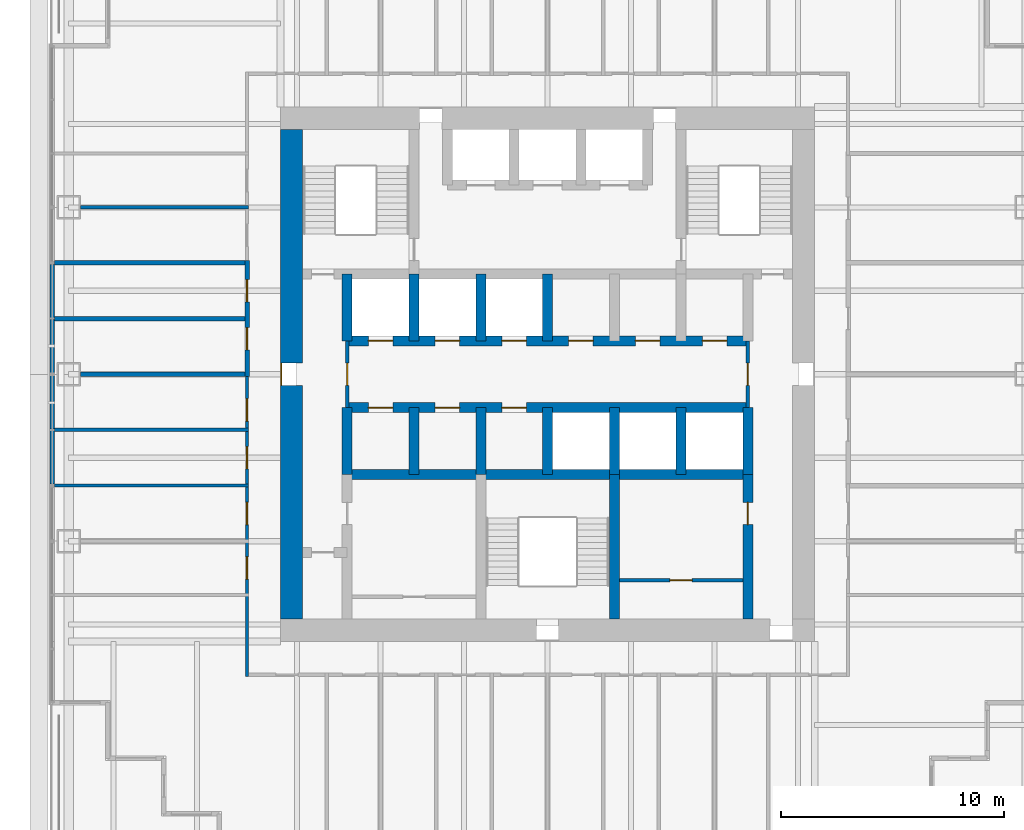
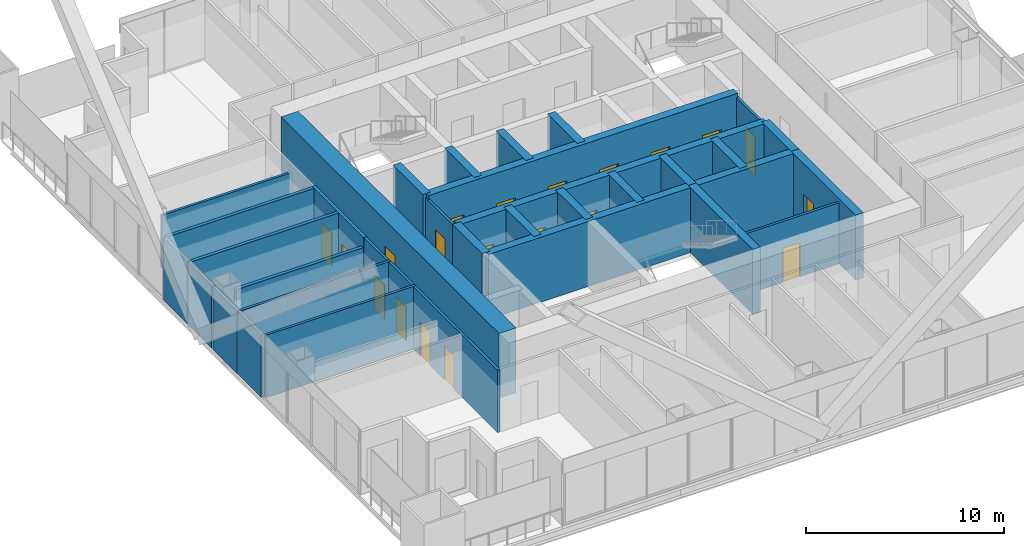
# One storey, part 12 of 17: 32 walls, 20 doors, 20 openings.
"""IFC4 building model written with IfcOpenShell, lengths in metres."""

from ifc_helpers import new_model, si_unit, direction, frame, frame_2d, origin, place, context, subcontext, project, spatial, rectangle, extrude, material, layer, layer_set, type_object, element, fill, save


model = new_model("IFC4")

# Units and contexts
model_context = context("Model", 3, precision=1e-05, world=origin(), true_north=direction((0.0, 1.0)))
body_context = subcontext(model_context, "Body", "Model", "MODEL_VIEW")
ifc_project = project(units=[si_unit("LENGTHUNIT", "METRE"), si_unit("AREAUNIT", "SQUARE_METRE"), si_unit("VOLUMEUNIT", "CUBIC_METRE"), si_unit("PLANEANGLEUNIT", "RADIAN"), si_unit("MASSUNIT", "GRAM", prefix="KILO")], contexts=[model_context])

# Site, building, storey
site_placement = place(None, origin())
site = spatial("IfcSite", under=ifc_project, at=site_placement, CompositionType="ELEMENT")
building_placement = place(site_placement, origin())
building = spatial("IfcBuilding", under=site, at=building_placement, Name="Tarangal Relay Tower", CompositionType="ELEMENT")
storey_placement = place(building_placement, frame((0.0, 0.0, 233.89990234375)))
storey = spatial("IfcBuildingStorey", under=building, at=storey_placement, Name="L50", CompositionType="ELEMENT", Elevation=233.89990234375)

# Walls
ifc_material_1 = material(Name="Two layers gypsum board each side on twin steel studs, mineral wool", Category="steel")
ifc_layer_1 = layer(ifc_material_1, 0.199951171875)
ifc_layer_set_1 = layer_set([ifc_layer_1], Name="Acoustic partition 200")
wall_type_1 = type_object("IfcWallType", Name="Acoustic partition 200", PredefinedType="PARTITIONING", material=ifc_layer_set_1)
wall_1_placement = place(storey_placement, frame((-20.989990234375, 0.0, 0.0), z_axis=(0.0, 0.0, 1.0), x_axis=(1.0, 0.0, 0.0)))
element("IfcWall", 1, at=wall_1_placement, inside=storey, type_object=wall_type_1, Name="Partition PT2 L50", PredefinedType="PARTITIONING", context=body_context, shape_type="SweptSolid", body=[
    extrude(rectangle(XDim=7.590087890625, YDim=0.199951171875, at=frame_2d((3.794921875, 0.0))), origin(), (0.0, 0.0, 1.0), 3.238037109375),
])
for number, where, z_axis, x_axis, name in (
    (2, (-22.14990234375, 2.5, 0.0), (0.0, 0.0, 1.0), (1.0, 0.0, 0.0), "Partition PT2 L50"),
    (3, (-22.14990234375, 5.0, 0.0), (0.0, 0.0, 1.0), (1.0, 0.0, 0.0), "Partition PT2 L50"),
):
    element("IfcWall", number, at=place(storey_placement, frame(where, z_axis=z_axis, x_axis=x_axis)), inside=storey, type_object=wall_type_1, Name=name, PredefinedType="PARTITIONING", context=body_context, shape_type="SweptSolid", body=[
        extrude(rectangle(XDim=8.75, YDim=0.199951171875, at=frame_2d((4.375, 0.0))), origin(), (0.0, 0.0, 1.0), 3.85009765625),
    ])

# Wall, openings, doors
wall_2_placement = place(storey_placement, frame((-13.5, -0.10009765625, 0.0), z_axis=(0.0, 0.0, 1.0), x_axis=(0.0, 1.0, 0.0)))
wall_2 = element("IfcWall", 4, at=wall_2_placement, inside=storey, type_object=wall_type_1, Name="Partition PT2 L50", PredefinedType="PARTITIONING", context=body_context, shape_type="SweptSolid", body=[
    extrude(rectangle(XDim=5.2001953125, YDim=0.199951171875, at=frame_2d((2.60009765625, 0.0))), origin(), (0.0, 0.0, 1.0), 3.85009765625),
])
opening_1_placement = place(wall_2_placement, frame((1.199951171875, 0.0, 0.0)))
opening_1 = element("IfcOpeningElement", 5, at=opening_1_placement, cuts=wall_2, Name="Opening D2", PredefinedType="OPENING", context=body_context, shape_type="SweptSolid", body=[
    extrude(rectangle(XDim=1.0, YDim=2.10009765625, at=frame_2d((0.5, 1.050048828125))), frame((0.0, 0.10986328125, 0.0), z_axis=(0.0, -1.0, 0.0), x_axis=(1.0, 0.0, 0.0)), (0.0, 0.0, 1.0), 0.219970703125),
])
opening_2_placement = place(wall_2_placement, frame((3.35009765625, 0.0, 0.0)))
opening_2 = element("IfcOpeningElement", 6, at=opening_2_placement, cuts=wall_2, Name="Opening D2", PredefinedType="OPENING", context=body_context, shape_type="SweptSolid", body=[
    extrude(rectangle(XDim=1.0, YDim=2.10009765625, at=frame_2d((0.5, 1.050048828125))), frame((0.0, 0.10986328125, 0.0), z_axis=(0.0, -1.0, 0.0), x_axis=(1.0, 0.0, 0.0)), (0.0, 0.0, 1.0), 0.219970703125),
])
ifc_material_2 = material(Name="Hardwood door", Category="wood")
door_type_1 = type_object("IfcDoorType", Name="Door 1000 x 2100", OperationType="SINGLE_SWING_LEFT", PredefinedType="DOOR", material=ifc_material_2)
door_1_placement = place(opening_1_placement, origin())
door_1 = element("IfcDoor", 7, at=door_1_placement, inside=storey, type_object=door_type_1, Name="Door D2 to wellness room L50-27", OperationType="SINGLE_SWING_LEFT", OverallHeight=2.10009765625, OverallWidth=1.0, PredefinedType="DOOR", context=body_context, shape_type="SweptSolid", body=[
    extrude(rectangle(XDim=1.0, YDim=2.10009765625, at=frame_2d((0.5, 1.050048828125))), frame((0.0, 0.02490234375, 0.0), z_axis=(0.0, -1.0, 0.0), x_axis=(1.0, 0.0, 0.0)), (0.0, 0.0, 1.0), 0.050048828125),
])
fill(opening_1, door_1)
door_2_placement = place(opening_2_placement, origin())
door_2 = element("IfcDoor", 8, at=door_2_placement, inside=storey, type_object=door_type_1, Name="Door D2 to quiet room L50-28", OperationType="SINGLE_SWING_LEFT", OverallHeight=2.10009765625, OverallWidth=1.0, PredefinedType="DOOR", context=body_context, shape_type="SweptSolid", body=[
    extrude(rectangle(XDim=1.0, YDim=2.10009765625, at=frame_2d((0.5, 1.050048828125))), frame((0.0, 0.02490234375, 0.0), z_axis=(0.0, -1.0, 0.0), x_axis=(1.0, 0.0, 0.0)), (0.0, 0.0, 1.0), 0.050048828125),
])
fill(opening_2, door_2)

ifc_material_3 = material(Name="Concrete fc' 60 MPa", Category="concrete")
ifc_layer_2 = layer(ifc_material_3, 0.449951171875)
ifc_layer_set_2 = layer_set([ifc_layer_2], Name="Core inner wall 450")
wall_type_2 = type_object("IfcWallType", Name="Core inner wall 450", PredefinedType="SHEAR", material=ifc_layer_set_2)
wall_3_placement = place(storey_placement, frame((-9.0, 1.5, 0.0), z_axis=(0.0, 0.0, 1.0), x_axis=(1.0, 0.0, 0.0)))
wall_3 = element("IfcWall", 9, at=wall_3_placement, inside=storey, type_object=wall_type_2, Name="Core wall Y15 L50", PredefinedType="SHEAR", context=body_context, shape_type="SweptSolid", body=[
    extrude(rectangle(XDim=18.0, YDim=0.449951171875, at=frame_2d((9.0, 0.0))), origin(), (0.0, 0.0, 1.0), 4.0),
])
opening_3_placement = place(wall_3_placement, frame((0.949951171875, 0.0, 0.0)))
opening_3 = element("IfcOpeningElement", 10, at=opening_3_placement, cuts=wall_3, Name="Opening LD1", PredefinedType="OPENING", context=body_context, shape_type="SweptSolid", body=[
    extrude(rectangle(XDim=1.10009765625, YDim=2.10009765625, at=frame_2d((0.550048828125, 1.050048828125))), frame((0.0, 0.23486328125, 0.0), z_axis=(0.0, -1.0, 0.0), x_axis=(1.0, 0.0, 0.0)), (0.0, 0.0, 1.0), 0.469970703125),
])
opening_4_placement = place(wall_3_placement, frame((3.949951171875, 0.0, 0.0)))
opening_4 = element("IfcOpeningElement", 11, at=opening_4_placement, cuts=wall_3, Name="Opening LD1", PredefinedType="OPENING", context=body_context, shape_type="SweptSolid", body=[
    extrude(rectangle(XDim=1.10009765625, YDim=2.10009765625, at=frame_2d((0.550048828125, 1.050048828125))), frame((0.0, 0.23486328125, 0.0), z_axis=(0.0, -1.0, 0.0), x_axis=(1.0, 0.0, 0.0)), (0.0, 0.0, 1.0), 0.469970703125),
])
opening_5_placement = place(wall_3_placement, frame((6.949951171875, 0.0, 0.0)))
opening_5 = element("IfcOpeningElement", 12, at=opening_5_placement, cuts=wall_3, Name="Opening LD1", PredefinedType="OPENING", context=body_context, shape_type="SweptSolid", body=[
    extrude(rectangle(XDim=1.10009765625, YDim=2.10009765625, at=frame_2d((0.550048828125, 1.050048828125))), frame((0.0, 0.23486328125, 0.0), z_axis=(0.0, -1.0, 0.0), x_axis=(1.0, 0.0, 0.0)), (0.0, 0.0, 1.0), 0.469970703125),
])
opening_6_placement = place(wall_3_placement, frame((9.949951171875, 0.0, 0.0)))
opening_6 = element("IfcOpeningElement", 13, at=opening_6_placement, cuts=wall_3, Name="Opening D4", PredefinedType="OPENING", context=body_context, shape_type="SweptSolid", body=[
    extrude(rectangle(XDim=1.10009765625, YDim=2.10009765625, at=frame_2d((0.550048828125, 1.050048828125))), frame((0.0, 0.23486328125, 0.0), z_axis=(0.0, -1.0, 0.0), x_axis=(1.0, 0.0, 0.0)), (0.0, 0.0, 1.0), 0.469970703125),
])
opening_7_placement = place(wall_3_placement, frame((12.949951171875, 0.0, 0.0)))
opening_7 = element("IfcOpeningElement", 14, at=opening_7_placement, cuts=wall_3, Name="Opening D4", PredefinedType="OPENING", context=body_context, shape_type="SweptSolid", body=[
    extrude(rectangle(XDim=1.10009765625, YDim=2.10009765625, at=frame_2d((0.550048828125, 1.050048828125))), frame((0.0, 0.23486328125, 0.0), z_axis=(0.0, -1.0, 0.0), x_axis=(1.0, 0.0, 0.0)), (0.0, 0.0, 1.0), 0.469970703125),
])
opening_8_placement = place(wall_3_placement, frame((15.949951171875, 0.0, 0.0)))
opening_8 = element("IfcOpeningElement", 15, at=opening_8_placement, cuts=wall_3, Name="Opening D4", PredefinedType="OPENING", context=body_context, shape_type="SweptSolid", body=[
    extrude(rectangle(XDim=1.10009765625, YDim=2.10009765625, at=frame_2d((0.550048828125, 1.050048828125))), frame((0.0, 0.23486328125, 0.0), z_axis=(0.0, -1.0, 0.0), x_axis=(1.0, 0.0, 0.0)), (0.0, 0.0, 1.0), 0.469970703125),
])
ifc_material_4 = material(Name="Steel door with hardwood frame", Category="steel")
door_type_2 = type_object("IfcDoorType", Name="Core room door 1100 x 2100", OperationType="SINGLE_SWING_RIGHT", PredefinedType="DOOR", material=ifc_material_4)
door_3_placement = place(opening_6_placement, origin())
door_3 = element("IfcDoor", 16, at=door_3_placement, inside=storey, type_object=door_type_2, Name="Door D4 to staff pantry L50-T1", OperationType="SINGLE_SWING_RIGHT", OverallHeight=2.10009765625, OverallWidth=1.10009765625, PredefinedType="DOOR", context=body_context, shape_type="SweptSolid", body=[
    extrude(rectangle(XDim=1.10009765625, YDim=2.10009765625, at=frame_2d((0.550048828125, 1.050048828125))), frame((0.0, 0.02490234375, 0.0), z_axis=(0.0, -1.0, 0.0), x_axis=(1.0, 0.0, 0.0)), (0.0, 0.0, 1.0), 0.050048828125),
])
fill(opening_6, door_3)
door_4_placement = place(opening_7_placement, origin())
door_4 = element("IfcDoor", 17, at=door_4_placement, inside=storey, type_object=door_type_2, Name="Door D4 to it room L50-T2", OperationType="SINGLE_SWING_RIGHT", OverallHeight=2.10009765625, OverallWidth=1.10009765625, PredefinedType="DOOR", context=body_context, shape_type="SweptSolid", body=[
    extrude(rectangle(XDim=1.10009765625, YDim=2.10009765625, at=frame_2d((0.550048828125, 1.050048828125))), frame((0.0, 0.02490234375, 0.0), z_axis=(0.0, -1.0, 0.0), x_axis=(1.0, 0.0, 0.0)), (0.0, 0.0, 1.0), 0.050048828125),
])
fill(opening_7, door_4)
door_5_placement = place(opening_8_placement, origin())
door_5 = element("IfcDoor", 18, at=door_5_placement, inside=storey, type_object=door_type_2, Name="Door D4 to cleaner's store L50-T3", OperationType="SINGLE_SWING_RIGHT", OverallHeight=2.10009765625, OverallWidth=1.10009765625, PredefinedType="DOOR", context=body_context, shape_type="SweptSolid", body=[
    extrude(rectangle(XDim=1.10009765625, YDim=2.10009765625, at=frame_2d((0.550048828125, 1.050048828125))), frame((0.0, 0.02490234375, 0.0), z_axis=(0.0, -1.0, 0.0), x_axis=(1.0, 0.0, 0.0)), (0.0, 0.0, 1.0), 0.050048828125),
])
fill(opening_8, door_5)
door_type_3 = type_object("IfcDoorType", Name="Lift landing door 1100 x 2100", OperationType="SLIDING_TO_LEFT", PredefinedType="DOOR", material=ifc_material_4)
door_6_placement = place(opening_3_placement, origin())
door_6 = element("IfcDoor", 19, at=door_6_placement, inside=storey, type_object=door_type_3, Name="Lift OL1 landing door L50", OperationType="SLIDING_TO_LEFT", OverallHeight=2.10009765625, OverallWidth=1.10009765625, PredefinedType="DOOR", context=body_context, shape_type="SweptSolid", body=[
    extrude(rectangle(XDim=1.10009765625, YDim=2.10009765625, at=frame_2d((0.550048828125, 1.050048828125))), frame((0.0, 0.02490234375, 0.0), z_axis=(0.0, -1.0, 0.0), x_axis=(1.0, 0.0, 0.0)), (0.0, 0.0, 1.0), 0.050048828125),
])
fill(opening_3, door_6)
door_7_placement = place(opening_4_placement, origin())
door_7 = element("IfcDoor", 20, at=door_7_placement, inside=storey, type_object=door_type_3, Name="Lift OL2 landing door L50", OperationType="SLIDING_TO_LEFT", OverallHeight=2.10009765625, OverallWidth=1.10009765625, PredefinedType="DOOR", context=body_context, shape_type="SweptSolid", body=[
    extrude(rectangle(XDim=1.10009765625, YDim=2.10009765625, at=frame_2d((0.550048828125, 1.050048828125))), frame((0.0, 0.02490234375, 0.0), z_axis=(0.0, -1.0, 0.0), x_axis=(1.0, 0.0, 0.0)), (0.0, 0.0, 1.0), 0.050048828125),
])
fill(opening_4, door_7)
door_8_placement = place(opening_5_placement, origin())
door_8 = element("IfcDoor", 21, at=door_8_placement, inside=storey, type_object=door_type_3, Name="Lift OL3 landing door L50", OperationType="SLIDING_TO_LEFT", OverallHeight=2.10009765625, OverallWidth=1.10009765625, PredefinedType="DOOR", context=body_context, shape_type="SweptSolid", body=[
    extrude(rectangle(XDim=1.10009765625, YDim=2.10009765625, at=frame_2d((0.550048828125, 1.050048828125))), frame((0.0, 0.02490234375, 0.0), z_axis=(0.0, -1.0, 0.0), x_axis=(1.0, 0.0, 0.0)), (0.0, 0.0, 1.0), 0.050048828125),
])
fill(opening_5, door_8)

wall_4_placement = place(storey_placement, frame((-9.0, -1.5, 0.0), z_axis=(0.0, 0.0, 1.0), x_axis=(1.0, 0.0, 0.0)))
wall_4 = element("IfcWall", 22, at=wall_4_placement, inside=storey, type_object=wall_type_2, Name="Core wall YM15 L50", PredefinedType="SHEAR", context=body_context, shape_type="SweptSolid", body=[
    extrude(rectangle(XDim=18.0, YDim=0.449951171875, at=frame_2d((9.0, 0.0))), origin(), (0.0, 0.0, 1.0), 4.0),
])
opening_9_placement = place(wall_4_placement, frame((0.949951171875, 0.0, 0.0)))
opening_9 = element("IfcOpeningElement", 23, at=opening_9_placement, cuts=wall_4, Name="Opening D4", PredefinedType="OPENING", context=body_context, shape_type="SweptSolid", body=[
    extrude(rectangle(XDim=1.10009765625, YDim=2.10009765625, at=frame_2d((0.550048828125, 1.050048828125))), frame((0.0, 0.23486328125, 0.0), z_axis=(0.0, -1.0, 0.0), x_axis=(1.0, 0.0, 0.0)), (0.0, 0.0, 1.0), 0.469970703125),
])
opening_10_placement = place(wall_4_placement, frame((3.949951171875, 0.0, 0.0)))
opening_10 = element("IfcOpeningElement", 24, at=opening_10_placement, cuts=wall_4, Name="Opening D4", PredefinedType="OPENING", context=body_context, shape_type="SweptSolid", body=[
    extrude(rectangle(XDim=1.10009765625, YDim=2.10009765625, at=frame_2d((0.550048828125, 1.050048828125))), frame((0.0, 0.23486328125, 0.0), z_axis=(0.0, -1.0, 0.0), x_axis=(1.0, 0.0, 0.0)), (0.0, 0.0, 1.0), 0.469970703125),
])
opening_11_placement = place(wall_4_placement, frame((6.949951171875, 0.0, 0.0)))
opening_11 = element("IfcOpeningElement", 25, at=opening_11_placement, cuts=wall_4, Name="Opening D4", PredefinedType="OPENING", context=body_context, shape_type="SweptSolid", body=[
    extrude(rectangle(XDim=1.10009765625, YDim=2.10009765625, at=frame_2d((0.550048828125, 1.050048828125))), frame((0.0, 0.23486328125, 0.0), z_axis=(0.0, -1.0, 0.0), x_axis=(1.0, 0.0, 0.0)), (0.0, 0.0, 1.0), 0.469970703125),
])
door_9_placement = place(opening_9_placement, origin())
door_9 = element("IfcDoor", 26, at=door_9_placement, inside=storey, type_object=door_type_2, Name="Door D4 to staff wc L50-S1", OperationType="SINGLE_SWING_RIGHT", OverallHeight=2.10009765625, OverallWidth=1.10009765625, PredefinedType="DOOR", context=body_context, shape_type="SweptSolid", body=[
    extrude(rectangle(XDim=1.10009765625, YDim=2.10009765625, at=frame_2d((0.550048828125, 1.050048828125))), frame((0.0, 0.02490234375, 0.0), z_axis=(0.0, -1.0, 0.0), x_axis=(1.0, 0.0, 0.0)), (0.0, 0.0, 1.0), 0.050048828125),
])
fill(opening_9, door_9)
door_10_placement = place(opening_10_placement, origin())
door_10 = element("IfcDoor", 27, at=door_10_placement, inside=storey, type_object=door_type_2, Name="Door D4 to staff pantry L50-S2", OperationType="SINGLE_SWING_RIGHT", OverallHeight=2.10009765625, OverallWidth=1.10009765625, PredefinedType="DOOR", context=body_context, shape_type="SweptSolid", body=[
    extrude(rectangle(XDim=1.10009765625, YDim=2.10009765625, at=frame_2d((0.550048828125, 1.050048828125))), frame((0.0, 0.02490234375, 0.0), z_axis=(0.0, -1.0, 0.0), x_axis=(1.0, 0.0, 0.0)), (0.0, 0.0, 1.0), 0.050048828125),
])
fill(opening_10, door_10)
door_11_placement = place(opening_11_placement, origin())
door_11 = element("IfcDoor", 28, at=door_11_placement, inside=storey, type_object=door_type_2, Name="Door D4 to it room L50-S3", OperationType="SINGLE_SWING_RIGHT", OverallHeight=2.10009765625, OverallWidth=1.10009765625, PredefinedType="DOOR", context=body_context, shape_type="SweptSolid", body=[
    extrude(rectangle(XDim=1.10009765625, YDim=2.10009765625, at=frame_2d((0.550048828125, 1.050048828125))), frame((0.0, 0.02490234375, 0.0), z_axis=(0.0, -1.0, 0.0), x_axis=(1.0, 0.0, 0.0)), (0.0, 0.0, 1.0), 0.050048828125),
])
fill(opening_11, door_11)

# Walls
wall_5_placement = place(storey_placement, frame((-9.0, -4.5, 0.0), z_axis=(0.0, 0.0, 1.0), x_axis=(1.0, 0.0, 0.0)))
element("IfcWall", 29, at=wall_5_placement, inside=storey, type_object=wall_type_2, Name="Core wall YM45 L50", PredefinedType="SHEAR", context=body_context, shape_type="SweptSolid", body=[
    extrude(rectangle(XDim=18.0, YDim=0.449951171875, at=frame_2d((9.0, 0.0))), origin(), (0.0, 0.0, 1.0), 4.0),
])
for number, where, z_axis, x_axis, name in (
    (30, (-9.0, 1.5, 0.0), (0.0, 0.0, 1.0), (0.0, 1.0, 0.0), "Core wall XM9N L50"),
    (31, (-9.0, -4.5, 0.0), (0.0, 0.0, 1.0), (0.0, 1.0, 0.0), "Core wall XM9S L50"),
    (32, (9.0, -4.5, 0.0), (0.0, 0.0, 1.0), (0.0, 1.0, 0.0), "Core wall X9S L50"),
    (33, (-6.0, 1.5, 0.0), (0.0, 0.0, 1.0), (0.0, 1.0, 0.0), "Core wall XM6N L50"),
    (34, (-3.0, 1.5, 0.0), (0.0, 0.0, 1.0), (0.0, 1.0, 0.0), "Core wall XM3N L50"),
    (35, (0.0, 1.5, 0.0), (0.0, 0.0, 1.0), (0.0, 1.0, 0.0), "Core wall X0N L50"),
    (36, (-6.0, -4.5, 0.0), (0.0, 0.0, 1.0), (0.0, 1.0, 0.0), "Core wall XM6S L50"),
    (37, (-3.0, -4.5, 0.0), (0.0, 0.0, 1.0), (0.0, 1.0, 0.0), "Core wall XM3S L50"),
    (38, (0.0, -4.5, 0.0), (0.0, 0.0, 1.0), (0.0, 1.0, 0.0), "Core wall X0S L50"),
    (39, (3.0, -4.5, 0.0), (0.0, 0.0, 1.0), (0.0, 1.0, 0.0), "Core wall X3S L50"),
    (40, (6.0, -4.5, 0.0), (0.0, 0.0, 1.0), (0.0, 1.0, 0.0), "Core wall X6S L50"),
):
    element("IfcWall", number, at=place(storey_placement, frame(where, z_axis=z_axis, x_axis=x_axis)), inside=storey, type_object=wall_type_2, Name=name, PredefinedType="SHEAR", context=body_context, shape_type="SweptSolid", body=[
        extrude(rectangle(XDim=3.0, YDim=0.449951171875, at=frame_2d((1.5, 0.0))), origin(), (0.0, 0.0, 1.0), 4.0),
    ])

# Wall, opening, door
wall_6_placement = place(storey_placement, frame((9.0, -11.0, 0.0), z_axis=(0.0, 0.0, 1.0), x_axis=(0.0, 1.0, 0.0)))
wall_6 = element("IfcWall", 41, at=wall_6_placement, inside=storey, type_object=wall_type_2, Name="Core wall X9W L50", PredefinedType="SHEAR", context=body_context, shape_type="SweptSolid", body=[
    extrude(rectangle(XDim=6.5, YDim=0.449951171875, at=frame_2d((3.25, 0.0))), origin(), (0.0, 0.0, 1.0), 4.0),
])
opening_12_placement = place(wall_6_placement, frame((4.25, 0.0, 0.0)))
opening_12 = element("IfcOpeningElement", 42, at=opening_12_placement, cuts=wall_6, Name="Opening D1", PredefinedType="OPENING", context=body_context, shape_type="SweptSolid", body=[
    extrude(rectangle(XDim=1.0, YDim=2.10009765625, at=frame_2d((0.5, 1.050048828125))), frame((0.0, 0.23486328125, 0.0), z_axis=(0.0, -1.0, 0.0), x_axis=(1.0, 0.0, 0.0)), (0.0, 0.0, 1.0), 0.469970703125),
])
door_type_4 = type_object("IfcDoorType", Name="WC door 1000 x 2100", OperationType="SINGLE_SWING_LEFT", PredefinedType="DOOR", material=ifc_material_2)
door_12_placement = place(opening_12_placement, origin())
door_12 = element("IfcDoor", 43, at=door_12_placement, inside=storey, type_object=door_type_4, Name="Female WC door L50", OperationType="SINGLE_SWING_LEFT", OverallHeight=2.10009765625, OverallWidth=1.0, PredefinedType="DOOR", context=body_context, shape_type="SweptSolid", body=[
    extrude(rectangle(XDim=1.0, YDim=2.10009765625, at=frame_2d((0.5, 1.050048828125))), frame((0.0, 0.02490234375, 0.0), z_axis=(0.0, -1.0, 0.0), x_axis=(1.0, 0.0, 0.0)), (0.0, 0.0, 1.0), 0.050048828125),
])
fill(opening_12, door_12)

# Wall
wall_7_placement = place(storey_placement, frame((3.0, -11.0, 0.0), z_axis=(0.0, 0.0, 1.0), x_axis=(0.0, 1.0, 0.0)))
element("IfcWall", 44, at=wall_7_placement, inside=storey, type_object=wall_type_2, Name="Core wall X3W L50", PredefinedType="SHEAR", context=body_context, shape_type="SweptSolid", body=[
    extrude(rectangle(XDim=6.5, YDim=0.449951171875, at=frame_2d((3.25, 0.0))), origin(), (0.0, 0.0, 1.0), 4.0),
])

# Wall, opening, door
ifc_layer_3 = layer(ifc_material_3, 1.0)
ifc_layer_set_3 = layer_set([ifc_layer_3], Name="Core wall 1000")
wall_type_3 = type_object("IfcWallType", Name="Core wall 1000", PredefinedType="SHEAR", material=ifc_layer_set_3)
wall_8_placement = place(storey_placement, frame((-11.5, -11.0, 0.0), z_axis=(0.0, 0.0, 1.0), x_axis=(0.0, 1.0, 0.0)))
wall_8 = element("IfcWall", 45, at=wall_8_placement, inside=storey, type_object=wall_type_3, Name="Core wall W L50", PredefinedType="SHEAR", context=body_context, shape_type="SweptSolid", body=[
    extrude(rectangle(XDim=22.0, YDim=1.0, at=frame_2d((11.0, 0.0))), origin(), (0.0, 0.0, 1.0), 4.0),
])
opening_13_placement = place(wall_8_placement, frame((10.5, 0.0, 0.0)))
opening_13 = element("IfcOpeningElement", 46, at=opening_13_placement, cuts=wall_8, Name="Opening FD3", PredefinedType="OPENING", context=body_context, shape_type="SweptSolid", body=[
    extrude(rectangle(XDim=1.0, YDim=2.39990234375, at=frame_2d((0.5, 1.199951171875))), frame((0.0, 0.510009765625, 0.0), z_axis=(0.0, -1.0, 0.0), x_axis=(1.0, 0.0, 0.0)), (0.0, 0.0, 1.0), 1.02001953125),
])
door_type_5 = type_object("IfcDoorType", Name="Fire door 1000 x 2400 core entry", OperationType="SINGLE_SWING_RIGHT", PredefinedType="DOOR", material=ifc_material_4)
door_13_placement = place(opening_13_placement, origin())
door_13 = element("IfcDoor", 47, at=door_13_placement, inside=storey, type_object=door_type_5, Name="Core entry door west L50", OperationType="SINGLE_SWING_RIGHT", OverallHeight=2.39990234375, OverallWidth=1.0, PredefinedType="DOOR", context=body_context, shape_type="SweptSolid", body=[
    extrude(rectangle(XDim=1.0, YDim=2.39990234375, at=frame_2d((0.5, 1.199951171875))), frame((0.0, 0.48486328125, 0.0), z_axis=(0.0, -1.0, 0.0), x_axis=(1.0, 0.0, 0.0)), (0.0, 0.0, 1.0), 0.050048828125),
])
fill(opening_13, door_13)

# Walls
ifc_material_5 = material(Name="Black metal clad insulated wall", Category="steel")
ifc_layer_4 = layer(ifc_material_5, 0.199951171875)
ifc_layer_set_4 = layer_set([ifc_layer_4], Name="Facade infill wall metal clad 200")
wall_type_4 = type_object("IfcWallType", Name="Facade infill wall metal clad 200", PredefinedType="SOLIDWALL", material=ifc_layer_set_4)
for number, where, z_axis, x_axis, name in (
    (48, (-22.25, -4.93505859375, 0.0), (0.0, 0.0, 1.0), (0.0, 1.0, 0.0), "Facade infill wall W facade L50 1.1"),
    (49, (-22.25, -2.467529296875, 0.0), (0.0, 0.0, 1.0), (0.0, 1.0, 0.0), "Facade infill wall W facade L50 2.1"),
    (50, (-22.25, 0.06494140625, 0.0), (0.0, 0.0, 1.0), (0.0, 1.0, 0.0), "Facade infill wall W facade L50 1.1"),
    (51, (-22.25, 2.532470703125, 0.0), (0.0, 0.0, 1.0), (0.0, 1.0, 0.0), "Facade infill wall W facade L50 2.1"),
):
    element("IfcWall", number, at=place(storey_placement, frame(where, z_axis=z_axis, x_axis=x_axis)), inside=storey, type_object=wall_type_4, Name=name, PredefinedType="SOLIDWALL", context=body_context, shape_type="SweptSolid", body=[
        extrude(rectangle(XDim=2.402587890625, YDim=0.199951171875, at=frame_2d((1.201171875, 0.0))), origin(), (0.0, 0.0, 1.0), 3.85009765625),
    ])
ifc_material_6 = material(Name="Gypsum board on steel studs", Category="steel")
ifc_layer_5 = layer(ifc_material_6, 0.14990234375)
ifc_layer_set_5 = layer_set([ifc_layer_5], Name="Partition 150")
wall_type_5 = type_object("IfcWallType", Name="Partition 150", PredefinedType="PARTITIONING", material=ifc_layer_set_5)
for number, where, z_axis, x_axis, name in (
    (52, (-22.14990234375, -5.0, 0.0), (0.0, 0.0, 1.0), (1.0, 0.0, 0.0), "Partition PT1 L50"),
    (53, (-22.14990234375, -2.5, 0.0), (0.0, 0.0, 1.0), (1.0, 0.0, 0.0), "Partition PT1 L50"),
):
    element("IfcWall", number, at=place(storey_placement, frame(where, z_axis=z_axis, x_axis=x_axis)), inside=storey, type_object=wall_type_5, Name=name, PredefinedType="PARTITIONING", context=body_context, shape_type="SweptSolid", body=[
        extrude(rectangle(XDim=8.724853515625, YDim=0.14990234375, at=frame_2d((4.3623046875, 0.0))), origin(), (0.0, 0.0, 1.0), 3.85009765625),
    ])
wall_9_placement = place(storey_placement, frame((-20.989990234375, 7.5, 0.0), z_axis=(0.0, 0.0, 1.0), x_axis=(1.0, 0.0, 0.0)))
element("IfcWall", 54, at=wall_9_placement, inside=storey, type_object=wall_type_5, Name="Partition PT1 L50", PredefinedType="PARTITIONING", context=body_context, shape_type="SweptSolid", body=[
    extrude(rectangle(XDim=7.56494140625, YDim=0.14990234375, at=frame_2d((3.782470703125, 0.0))), origin(), (0.0, 0.0, 1.0), 3.238037109375),
])

# Wall, openings, doors
wall_10_placement = place(storey_placement, frame((-13.5, -13.574951171875, 0.0), z_axis=(0.0, 0.0, 1.0), x_axis=(0.0, 1.0, 0.0)))
wall_10 = element("IfcWall", 55, at=wall_10_placement, inside=storey, type_object=wall_type_5, Name="Partition PT1 L50", PredefinedType="PARTITIONING", context=body_context, shape_type="SweptSolid", body=[
    extrude(rectangle(XDim=13.64990234375, YDim=0.14990234375, at=frame_2d((6.824951171875, 0.0))), origin(), (0.0, 0.0, 1.0), 3.85009765625),
])
opening_14_placement = place(wall_10_placement, frame((4.366455078125, 0.0, 0.0)))
opening_14 = element("IfcOpeningElement", 56, at=opening_14_placement, cuts=wall_10, Name="Opening D2", PredefinedType="OPENING", context=body_context, shape_type="SweptSolid", body=[
    extrude(rectangle(XDim=1.0, YDim=2.10009765625, at=frame_2d((0.5, 1.050048828125))), frame((0.0, 0.0849609375, 0.0), z_axis=(0.0, -1.0, 0.0), x_axis=(1.0, 0.0, 0.0)), (0.0, 0.0, 1.0), 0.169921875),
])
opening_15_placement = place(wall_10_placement, frame((6.824951171875, 0.0, 0.0)))
opening_15 = element("IfcOpeningElement", 57, at=opening_15_placement, cuts=wall_10, Name="Opening D2", PredefinedType="OPENING", context=body_context, shape_type="SweptSolid", body=[
    extrude(rectangle(XDim=1.0, YDim=2.10009765625, at=frame_2d((0.5, 1.050048828125))), frame((0.0, 0.0849609375, 0.0), z_axis=(0.0, -1.0, 0.0), x_axis=(1.0, 0.0, 0.0)), (0.0, 0.0, 1.0), 0.169921875),
])
opening_16_placement = place(wall_10_placement, frame((9.324951171875, 0.0, 0.0)))
opening_16 = element("IfcOpeningElement", 58, at=opening_16_placement, cuts=wall_10, Name="Opening D2", PredefinedType="OPENING", context=body_context, shape_type="SweptSolid", body=[
    extrude(rectangle(XDim=1.0, YDim=2.10009765625, at=frame_2d((0.5, 1.050048828125))), frame((0.0, 0.0849609375, 0.0), z_axis=(0.0, -1.0, 0.0), x_axis=(1.0, 0.0, 0.0)), (0.0, 0.0, 1.0), 0.169921875),
])
opening_17_placement = place(wall_10_placement, frame((11.47509765625, 0.0, 0.0)))
opening_17 = element("IfcOpeningElement", 59, at=opening_17_placement, cuts=wall_10, Name="Opening D2", PredefinedType="OPENING", context=body_context, shape_type="SweptSolid", body=[
    extrude(rectangle(XDim=1.0, YDim=2.10009765625, at=frame_2d((0.5, 1.050048828125))), frame((0.0, 0.0849609375, 0.0), z_axis=(0.0, -1.0, 0.0), x_axis=(1.0, 0.0, 0.0)), (0.0, 0.0, 1.0), 0.169921875),
])
door_14_placement = place(opening_14_placement, origin())
door_14 = element("IfcDoor", 60, at=door_14_placement, inside=storey, type_object=door_type_1, Name="Door D2 to cellular office L50-23", OperationType="SINGLE_SWING_LEFT", OverallHeight=2.10009765625, OverallWidth=1.0, PredefinedType="DOOR", context=body_context, shape_type="SweptSolid", body=[
    extrude(rectangle(XDim=1.0, YDim=2.10009765625, at=frame_2d((0.5, 1.050048828125))), frame((0.0, 0.02490234375, 0.0), z_axis=(0.0, -1.0, 0.0), x_axis=(1.0, 0.0, 0.0)), (0.0, 0.0, 1.0), 0.050048828125),
])
fill(opening_14, door_14)
door_15_placement = place(opening_15_placement, origin())
door_15 = element("IfcDoor", 61, at=door_15_placement, inside=storey, type_object=door_type_1, Name="Door D2 to cellular office L50-24", OperationType="SINGLE_SWING_LEFT", OverallHeight=2.10009765625, OverallWidth=1.0, PredefinedType="DOOR", context=body_context, shape_type="SweptSolid", body=[
    extrude(rectangle(XDim=1.0, YDim=2.10009765625, at=frame_2d((0.5, 1.050048828125))), frame((0.0, 0.02490234375, 0.0), z_axis=(0.0, -1.0, 0.0), x_axis=(1.0, 0.0, 0.0)), (0.0, 0.0, 1.0), 0.050048828125),
])
fill(opening_15, door_15)
door_16_placement = place(opening_16_placement, origin())
door_16 = element("IfcDoor", 62, at=door_16_placement, inside=storey, type_object=door_type_1, Name="Door D2 to cellular office L50-25", OperationType="SINGLE_SWING_LEFT", OverallHeight=2.10009765625, OverallWidth=1.0, PredefinedType="DOOR", context=body_context, shape_type="SweptSolid", body=[
    extrude(rectangle(XDim=1.0, YDim=2.10009765625, at=frame_2d((0.5, 1.050048828125))), frame((0.0, 0.02490234375, 0.0), z_axis=(0.0, -1.0, 0.0), x_axis=(1.0, 0.0, 0.0)), (0.0, 0.0, 1.0), 0.050048828125),
])
fill(opening_16, door_16)
door_17_placement = place(opening_17_placement, origin())
door_17 = element("IfcDoor", 63, at=door_17_placement, inside=storey, type_object=door_type_1, Name="Door D2 to cellular office L50-26", OperationType="SINGLE_SWING_LEFT", OverallHeight=2.10009765625, OverallWidth=1.0, PredefinedType="DOOR", context=body_context, shape_type="SweptSolid", body=[
    extrude(rectangle(XDim=1.0, YDim=2.10009765625, at=frame_2d((0.5, 1.050048828125))), frame((0.0, 0.02490234375, 0.0), z_axis=(0.0, -1.0, 0.0), x_axis=(1.0, 0.0, 0.0)), (0.0, 0.0, 1.0), 0.050048828125),
])
fill(opening_17, door_17)

# Wall, opening, door
wall_11_placement = place(storey_placement, frame((3.22509765625, -9.25, 0.0), z_axis=(0.0, 0.0, 1.0), x_axis=(1.0, 0.0, 0.0)))
wall_11 = element("IfcWall", 64, at=wall_11_placement, inside=storey, type_object=wall_type_5, Name="Partition PT1 L50", PredefinedType="PARTITIONING", context=body_context, shape_type="SweptSolid", body=[
    extrude(rectangle(XDim=5.5498046875, YDim=0.14990234375, at=frame_2d((2.77490234375, 0.0))), origin(), (0.0, 0.0, 1.0), 3.75),
])
opening_18_placement = place(wall_11_placement, frame((2.27490234375, 0.0, 0.0)))
opening_18 = element("IfcOpeningElement", 65, at=opening_18_placement, cuts=wall_11, Name="Opening D1", PredefinedType="OPENING", context=body_context, shape_type="SweptSolid", body=[
    extrude(rectangle(XDim=1.0, YDim=2.10009765625, at=frame_2d((0.5, 1.050048828125))), frame((0.0, 0.0849609375, 0.0), z_axis=(0.0, -1.0, 0.0), x_axis=(1.0, 0.0, 0.0)), (0.0, 0.0, 1.0), 0.169921875),
])
door_18_placement = place(opening_18_placement, origin())
door_18 = element("IfcDoor", 66, at=door_18_placement, inside=storey, type_object=door_type_4, Name="Door D1 to female shower and changing room L50-C10B", OperationType="SINGLE_SWING_LEFT", OverallHeight=2.10009765625, OverallWidth=1.0, PredefinedType="DOOR", context=body_context, shape_type="SweptSolid", body=[
    extrude(rectangle(XDim=1.0, YDim=2.10009765625, at=frame_2d((0.5, 1.050048828125))), frame((0.0, 0.02490234375, 0.0), z_axis=(0.0, -1.0, 0.0), x_axis=(1.0, 0.0, 0.0)), (0.0, 0.0, 1.0), 0.050048828125),
])
fill(opening_18, door_18)

wall_12_placement = place(storey_placement, frame((-9.0, -1.5, 0.0), z_axis=(0.0, 0.0, 1.0), x_axis=(0.0, 1.0, 0.0)))
wall_12 = element("IfcWall", 67, at=wall_12_placement, inside=storey, type_object=wall_type_5, Name="Partition PT1 L50", PredefinedType="PARTITIONING", context=body_context, shape_type="SweptSolid", body=[
    extrude(rectangle(XDim=3.0, YDim=0.14990234375, at=frame_2d((1.5, 0.0))), origin(), (0.0, 0.0, 1.0), 3.75),
])
opening_19_placement = place(wall_12_placement, frame((1.0, 0.0, 0.0)))
opening_19 = element("IfcOpeningElement", 68, at=opening_19_placement, cuts=wall_12, Name="Opening FD3", PredefinedType="OPENING", context=body_context, shape_type="SweptSolid", body=[
    extrude(rectangle(XDim=1.0, YDim=2.39990234375, at=frame_2d((0.5, 1.199951171875))), frame((0.0, 0.0849609375, 0.0), z_axis=(0.0, -1.0, 0.0), x_axis=(1.0, 0.0, 0.0)), (0.0, 0.0, 1.0), 0.169921875),
])
door_19_placement = place(opening_19_placement, origin())
door_19 = element("IfcDoor", 69, at=door_19_placement, inside=storey, type_object=door_type_5, Name="Lift lobby door FD3 to the west corridor L50", OperationType="SINGLE_SWING_RIGHT", OverallHeight=2.39990234375, OverallWidth=1.0, PredefinedType="DOOR", context=body_context, shape_type="SweptSolid", body=[
    extrude(rectangle(XDim=1.0, YDim=2.39990234375, at=frame_2d((0.5, 1.199951171875))), frame((0.0, 0.02490234375, 0.0), z_axis=(0.0, -1.0, 0.0), x_axis=(1.0, 0.0, 0.0)), (0.0, 0.0, 1.0), 0.050048828125),
])
fill(opening_19, door_19)

wall_13_placement = place(storey_placement, frame((9.0, -1.5, 0.0), z_axis=(0.0, 0.0, 1.0), x_axis=(0.0, 1.0, 0.0)))
wall_13 = element("IfcWall", 70, at=wall_13_placement, inside=storey, type_object=wall_type_5, Name="Partition PT1 L50", PredefinedType="PARTITIONING", context=body_context, shape_type="SweptSolid", body=[
    extrude(rectangle(XDim=3.0, YDim=0.14990234375, at=frame_2d((1.5, 0.0))), origin(), (0.0, 0.0, 1.0), 3.75),
])
opening_20_placement = place(wall_13_placement, frame((1.0, 0.0, 0.0)))
opening_20 = element("IfcOpeningElement", 71, at=opening_20_placement, cuts=wall_13, Name="Opening FD3", PredefinedType="OPENING", context=body_context, shape_type="SweptSolid", body=[
    extrude(rectangle(XDim=1.0, YDim=2.39990234375, at=frame_2d((0.5, 1.199951171875))), frame((0.0, 0.0849609375, 0.0), z_axis=(0.0, -1.0, 0.0), x_axis=(1.0, 0.0, 0.0)), (0.0, 0.0, 1.0), 0.169921875),
])
door_20_placement = place(opening_20_placement, origin())
door_20 = element("IfcDoor", 72, at=door_20_placement, inside=storey, type_object=door_type_5, Name="Lift lobby door FD3 to the east corridor L50", OperationType="SINGLE_SWING_RIGHT", OverallHeight=2.39990234375, OverallWidth=1.0, PredefinedType="DOOR", context=body_context, shape_type="SweptSolid", body=[
    extrude(rectangle(XDim=1.0, YDim=2.39990234375, at=frame_2d((0.5, 1.199951171875))), frame((0.0, 0.02490234375, 0.0), z_axis=(0.0, -1.0, 0.0), x_axis=(1.0, 0.0, 0.0)), (0.0, 0.0, 1.0), 0.050048828125),
])
fill(opening_20, door_20)

save(model, "model.ifc")
